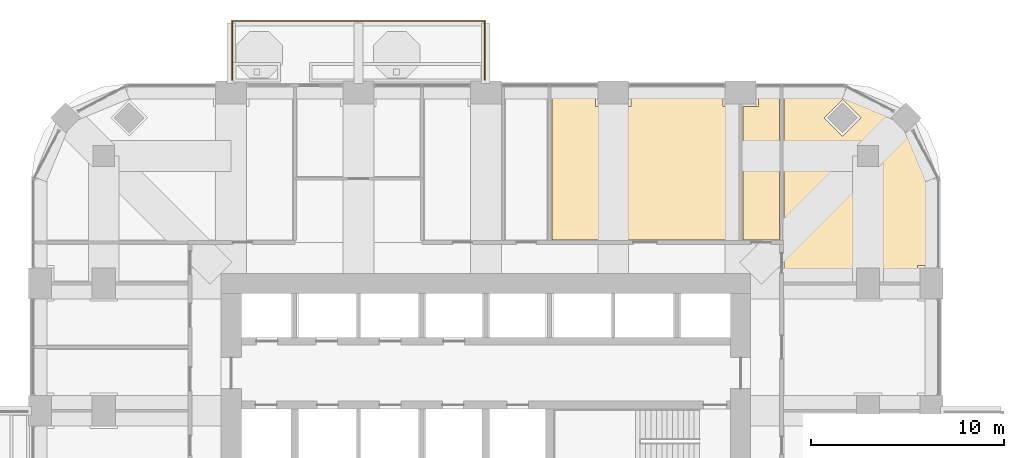
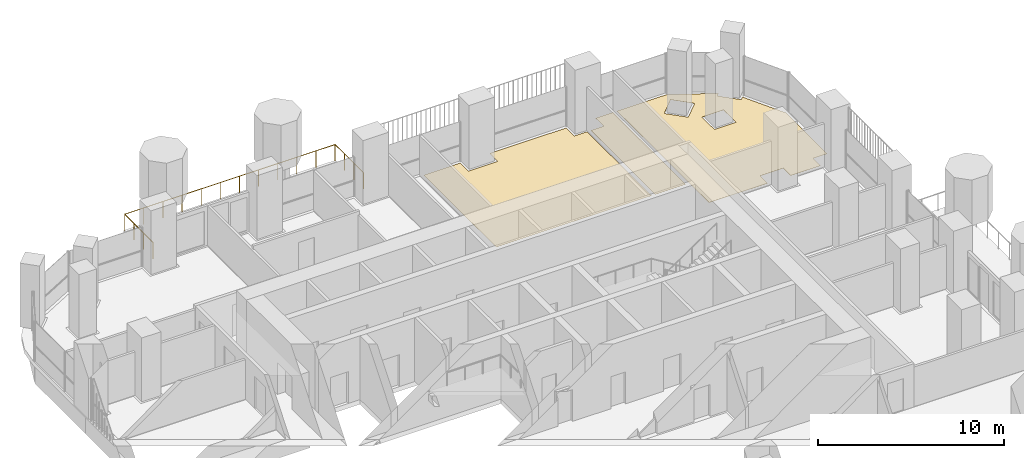
# One storey, part 19 of 20: 3 coverings, 1 railing.
"""IFC4 building model written with IfcOpenShell, lengths in metres."""

from ifc_helpers import new_model, si_unit, direction, frame, origin, place, context, subcontext, project, spatial, polyline, outline, extrude, material, layer, layer_set, type_object, element, save


model = new_model("IFC4")

# Units and contexts
model_context = context("Model", 3, precision=1e-05, world=origin(), true_north=direction((0.0, 1.0)))
body_context = subcontext(model_context, "Body", "Model", "MODEL_VIEW")
ifc_project = project(units=[si_unit("LENGTHUNIT", "METRE"), si_unit("AREAUNIT", "SQUARE_METRE"), si_unit("VOLUMEUNIT", "CUBIC_METRE"), si_unit("PLANEANGLEUNIT", "RADIAN"), si_unit("MASSUNIT", "GRAM", prefix="KILO")], contexts=[model_context])

# Site, building, storey
site_placement = place(None, origin())
site = spatial("IfcSite", under=ifc_project, at=site_placement, CompositionType="ELEMENT")
building_placement = place(site_placement, origin())
building = spatial("IfcBuilding", under=site, at=building_placement, Name="Cobogo Forest Laboratory Tower", CompositionType="ELEMENT")
storey_placement = place(building_placement, frame((0.0, 0.0, 210.300048828125)))
storey = spatial("IfcBuildingStorey", under=building, at=storey_placement, Name="L48", CompositionType="ELEMENT", Elevation=210.300048828125)

# Railing
ifc_material_1 = material(Name="Laminated glass balustrade", Category="glass")
railing_type = type_object("IfcRailingType", Name="BG1 glass balustrade 1100", PredefinedType="GUARDRAIL", material=ifc_material_1)
railing_placement = place(storey_placement, frame((13.25, 43.550048828125, 0.0)))
element("IfcRailing", 1, at=railing_placement, inside=storey, type_object=railing_type, Name="Balcony balustrade BAL-N1 L48", PredefinedType="GUARDRAIL", context=body_context, shape_type="SweptSolid", body=[
    extrude(outline(polyline([(0.022216796875, 0.00927734375), (0.00927734375, 0.022216796875), (-0.00927734375, 0.022216796875), (-0.022216796875, 0.00927734375), (-0.022216796875, -0.00927734375), (-0.00927734375, -0.022216796875), (0.00927734375, -0.022216796875), (0.022216796875, -0.00927734375), (0.022216796875, 0.00927734375)])), frame((0.0, 0.0, 1.077880859375), z_axis=(0.0, 1.0, 0.0), x_axis=(-1.0, 0.0, 0.0)), (0.0, 0.0, 1.0), 3.050048828125),
    extrude(outline(polyline([(0.022216796875, 0.00927734375), (0.00927734375, 0.022216796875), (-0.00927734375, 0.022216796875), (-0.022216796875, 0.00927734375), (-0.022216796875, -0.00927734375), (-0.00927734375, -0.022216796875), (0.00927734375, -0.022216796875), (0.022216796875, -0.00927734375), (0.022216796875, 0.00927734375)])), frame((0.0, 3.050048828125, 1.077880859375), z_axis=(1.0, 0.0, 0.0), x_axis=(0.0, 1.0, 0.0)), (0.0, 0.0, 1.0), 13.10009765625),
    extrude(outline(polyline([(0.022216796875, 0.00927734375), (0.00927734375, 0.022216796875), (-0.00927734375, 0.022216796875), (-0.022216796875, 0.00927734375), (-0.022216796875, -0.00927734375), (-0.00927734375, -0.022216796875), (0.00927734375, -0.022216796875), (0.022216796875, -0.00927734375), (0.022216796875, 0.00927734375)])), frame((13.10009765625, 3.050048828125, 1.077880859375), z_axis=(0.0, -1.0, 0.0), x_axis=(1.0, 0.0, 0.0)), (0.0, 0.0, 1.0), 3.050048828125),
    extrude(outline(polyline([(0.019287109375, 0.008056640625), (0.008056640625, 0.019287109375), (-0.008056640625, 0.019287109375), (-0.019287109375, 0.008056640625), (-0.019287109375, -0.008056640625), (-0.008056640625, -0.019287109375), (0.008056640625, -0.019287109375), (0.019287109375, -0.008056640625), (0.019287109375, 0.008056640625)])), origin(), (0.0, 0.0, 1.0), 1.077880859375),
    extrude(outline(polyline([(0.019287109375, 0.008056640625), (0.008056640625, 0.019287109375), (-0.008056640625, 0.019287109375), (-0.019287109375, 0.008056640625), (-0.019287109375, -0.008056640625), (-0.008056640625, -0.019287109375), (0.008056640625, -0.019287109375), (0.019287109375, -0.008056640625), (0.019287109375, 0.008056640625)])), frame((0.0, 1.0166015625, 0.0)), (0.0, 0.0, 1.0), 1.077880859375),
    extrude(outline(polyline([(0.019287109375, 0.008056640625), (0.008056640625, 0.019287109375), (-0.008056640625, 0.019287109375), (-0.019287109375, 0.008056640625), (-0.019287109375, -0.008056640625), (-0.008056640625, -0.019287109375), (0.008056640625, -0.019287109375), (0.019287109375, -0.008056640625), (0.019287109375, 0.008056640625)])), frame((0.0, 2.033447265625, 0.0)), (0.0, 0.0, 1.0), 1.077880859375),
    extrude(outline(polyline([(0.019287109375, 0.008056640625), (0.008056640625, 0.019287109375), (-0.008056640625, 0.019287109375), (-0.019287109375, 0.008056640625), (-0.019287109375, -0.008056640625), (-0.008056640625, -0.019287109375), (0.008056640625, -0.019287109375), (0.019287109375, -0.008056640625), (0.019287109375, 0.008056640625)])), frame((0.0, 3.050048828125, 0.0)), (0.0, 0.0, 1.0), 1.077880859375),
    extrude(outline(polyline([(0.019287109375, 0.008056640625), (0.008056640625, 0.019287109375), (-0.008056640625, 0.019287109375), (-0.019287109375, 0.008056640625), (-0.019287109375, -0.008056640625), (-0.008056640625, -0.019287109375), (0.008056640625, -0.019287109375), (0.019287109375, -0.008056640625), (0.019287109375, 0.008056640625)])), frame((1.19091796875, 3.050048828125, 0.0)), (0.0, 0.0, 1.0), 1.077880859375),
    extrude(outline(polyline([(0.019287109375, 0.008056640625), (0.008056640625, 0.019287109375), (-0.008056640625, 0.019287109375), (-0.019287109375, 0.008056640625), (-0.019287109375, -0.008056640625), (-0.008056640625, -0.019287109375), (0.008056640625, -0.019287109375), (0.019287109375, -0.008056640625), (0.019287109375, 0.008056640625)])), frame((2.3818359375, 3.050048828125, 0.0)), (0.0, 0.0, 1.0), 1.077880859375),
    extrude(outline(polyline([(0.019287109375, 0.008056640625), (0.008056640625, 0.019287109375), (-0.008056640625, 0.019287109375), (-0.019287109375, 0.008056640625), (-0.019287109375, -0.008056640625), (-0.008056640625, -0.019287109375), (0.008056640625, -0.019287109375), (0.019287109375, -0.008056640625), (0.019287109375, 0.008056640625)])), frame((3.57275390625, 3.050048828125, 0.0)), (0.0, 0.0, 1.0), 1.077880859375),
    extrude(outline(polyline([(0.019287109375, 0.008056640625), (0.008056640625, 0.019287109375), (-0.008056640625, 0.019287109375), (-0.019287109375, 0.008056640625), (-0.019287109375, -0.008056640625), (-0.008056640625, -0.019287109375), (0.008056640625, -0.019287109375), (0.019287109375, -0.008056640625), (0.019287109375, 0.008056640625)])), frame((4.763671875, 3.050048828125, 0.0)), (0.0, 0.0, 1.0), 1.077880859375),
    extrude(outline(polyline([(0.019287109375, 0.008056640625), (0.008056640625, 0.019287109375), (-0.008056640625, 0.019287109375), (-0.019287109375, 0.008056640625), (-0.019287109375, -0.008056640625), (-0.008056640625, -0.019287109375), (0.008056640625, -0.019287109375), (0.019287109375, -0.008056640625), (0.019287109375, 0.008056640625)])), frame((5.95458984375, 3.050048828125, 0.0)), (0.0, 0.0, 1.0), 1.077880859375),
    extrude(outline(polyline([(0.019287109375, 0.008056640625), (0.008056640625, 0.019287109375), (-0.008056640625, 0.019287109375), (-0.019287109375, 0.008056640625), (-0.019287109375, -0.008056640625), (-0.008056640625, -0.019287109375), (0.008056640625, -0.019287109375), (0.019287109375, -0.008056640625), (0.019287109375, 0.008056640625)])), frame((7.1455078125, 3.050048828125, 0.0)), (0.0, 0.0, 1.0), 1.077880859375),
    extrude(outline(polyline([(0.019287109375, 0.008056640625), (0.008056640625, 0.019287109375), (-0.008056640625, 0.019287109375), (-0.019287109375, 0.008056640625), (-0.019287109375, -0.008056640625), (-0.008056640625, -0.019287109375), (0.008056640625, -0.019287109375), (0.019287109375, -0.008056640625), (0.019287109375, 0.008056640625)])), frame((8.33642578125, 3.050048828125, 0.0)), (0.0, 0.0, 1.0), 1.077880859375),
    extrude(outline(polyline([(0.019287109375, 0.008056640625), (0.008056640625, 0.019287109375), (-0.008056640625, 0.019287109375), (-0.019287109375, 0.008056640625), (-0.019287109375, -0.008056640625), (-0.008056640625, -0.019287109375), (0.008056640625, -0.019287109375), (0.019287109375, -0.008056640625), (0.019287109375, 0.008056640625)])), frame((9.52734375, 3.050048828125, 0.0)), (0.0, 0.0, 1.0), 1.077880859375),
    extrude(outline(polyline([(0.019287109375, 0.008056640625), (0.008056640625, 0.019287109375), (-0.008056640625, 0.019287109375), (-0.019287109375, 0.008056640625), (-0.019287109375, -0.008056640625), (-0.008056640625, -0.019287109375), (0.008056640625, -0.019287109375), (0.019287109375, -0.008056640625), (0.019287109375, 0.008056640625)])), frame((10.71826171875, 3.050048828125, 0.0)), (0.0, 0.0, 1.0), 1.077880859375),
    extrude(outline(polyline([(0.019287109375, 0.008056640625), (0.008056640625, 0.019287109375), (-0.008056640625, 0.019287109375), (-0.019287109375, 0.008056640625), (-0.019287109375, -0.008056640625), (-0.008056640625, -0.019287109375), (0.008056640625, -0.019287109375), (0.019287109375, -0.008056640625), (0.019287109375, 0.008056640625)])), frame((11.9091796875, 3.050048828125, 0.0)), (0.0, 0.0, 1.0), 1.077880859375),
    extrude(outline(polyline([(0.019287109375, 0.008056640625), (0.008056640625, 0.019287109375), (-0.008056640625, 0.019287109375), (-0.019287109375, 0.008056640625), (-0.019287109375, -0.008056640625), (-0.008056640625, -0.019287109375), (0.008056640625, -0.019287109375), (0.019287109375, -0.008056640625), (0.019287109375, 0.008056640625)])), frame((13.10009765625, 3.050048828125, 0.0)), (0.0, 0.0, 1.0), 1.077880859375),
    extrude(outline(polyline([(0.019287109375, 0.008056640625), (0.008056640625, 0.019287109375), (-0.008056640625, 0.019287109375), (-0.019287109375, 0.008056640625), (-0.019287109375, -0.008056640625), (-0.008056640625, -0.019287109375), (0.008056640625, -0.019287109375), (0.019287109375, -0.008056640625), (0.019287109375, 0.008056640625)])), frame((13.10009765625, 2.033447265625, 0.0)), (0.0, 0.0, 1.0), 1.077880859375),
    extrude(outline(polyline([(0.019287109375, 0.008056640625), (0.008056640625, 0.019287109375), (-0.008056640625, 0.019287109375), (-0.019287109375, 0.008056640625), (-0.019287109375, -0.008056640625), (-0.008056640625, -0.019287109375), (0.008056640625, -0.019287109375), (0.019287109375, -0.008056640625), (0.019287109375, 0.008056640625)])), frame((13.10009765625, 1.0166015625, 0.0)), (0.0, 0.0, 1.0), 1.077880859375),
    extrude(outline(polyline([(0.019287109375, 0.008056640625), (0.008056640625, 0.019287109375), (-0.008056640625, 0.019287109375), (-0.019287109375, 0.008056640625), (-0.019287109375, -0.008056640625), (-0.008056640625, -0.019287109375), (0.008056640625, -0.019287109375), (0.019287109375, -0.008056640625), (0.019287109375, 0.008056640625)])), frame((13.10009765625, 0.0, 0.0)), (0.0, 0.0, 1.0), 1.077880859375),
])

# Coverings
ifc_material_2 = material(Name="Carpet tile on raised access floor", Category="flooring")
ifc_layer_1 = layer(ifc_material_2, 0.008056640625)
ifc_layer_set_1 = layer_set([ifc_layer_1], Name="CT1 carpet tile floor 8")
covering_type_1 = type_object("IfcCoveringType", Name="CT1 carpet tile floor 8", PredefinedType="FLOORING", material=ifc_layer_set_1)
covering_1_placement = place(storey_placement, origin())
element("IfcCovering", 2, at=covering_1_placement, inside=storey, type_object=covering_type_1, Name="Carpet floor L48-10", PredefinedType="FLOORING", context=body_context, shape_type="SweptSolid", body=[
    extrude(outline(polyline([(41.844970703125, 43.050048828125), (44.95068359375, 43.050048828125), (47.412109375, 41.759765625), (47.234375, 41.58203125), (48.181884765625, 40.634521484375), (48.359619140625, 40.812255859375), (49.64990234375, 38.350830078125), (49.64990234375, 33.919921875), (48.780029296875, 33.919921875), (48.780029296875, 33.1201171875), (46.919921875, 33.1201171875), (46.919921875, 33.919921875), (45.47998046875, 33.919921875), (45.47998046875, 33.1201171875), (41.844970703125, 33.1201171875), (41.844970703125, 43.050048828125)]), holes=[polyline([(45.530029296875, 40.27001953125), (45.530029296875, 38.929931640625), (46.8701171875, 38.929931640625), (46.8701171875, 40.27001953125), (45.530029296875, 40.27001953125)]), polyline([(44.882080078125, 40.634521484375), (45.82958984375, 41.58203125), (44.882080078125, 42.529541015625), (43.9345703125, 41.58203125), (44.882080078125, 40.634521484375)])]), origin(), (0.0, 0.0, 1.0), 0.008056640625),
])
covering_2_placement = place(storey_placement, origin())
element("IfcCovering", 3, at=covering_2_placement, inside=storey, type_object=covering_type_1, Name="Carpet floor L48-16", PredefinedType="FLOORING", context=body_context, shape_type="SweptSolid", body=[
    extrude(outline(polyline([(39.719970703125, 35.2451171875), (39.719970703125, 42.179931640625), (40.52001953125, 42.179931640625), (40.52001953125, 43.050048828125), (41.60498046875, 43.050048828125), (41.60498046875, 35.2451171875), (39.719970703125, 35.2451171875)])), origin(), (0.0, 0.0, 1.0), 0.008056640625),
])
ifc_material_3 = material(Name="Static-dissipative vinyl flooring", Category="flooring")
ifc_layer_2 = layer(ifc_material_3, 0.0029296875)
ifc_layer_set_2 = layer_set([ifc_layer_2], Name="SD1 static-dissipative vinyl floor 3")
covering_type_2 = type_object("IfcCoveringType", Name="SD1 static-dissipative vinyl floor 3", PredefinedType="FLOORING", material=ifc_layer_set_2)
covering_3_placement = place(storey_placement, origin())
element("IfcCovering", 4, at=covering_3_placement, inside=storey, type_object=covering_type_2, Name="Static-dissipative floor L48-15", PredefinedType="FLOORING", context=body_context, shape_type="SweptSolid", body=[
    extrude(outline(polyline([(29.820068359375, 35.2451171875), (29.820068359375, 43.050048828125), (32.080078125, 43.050048828125), (32.080078125, 42.179931640625), (33.919921875, 42.179931640625), (33.919921875, 43.050048828125), (38.679931640625, 43.050048828125), (38.679931640625, 42.179931640625), (39.47998046875, 42.179931640625), (39.47998046875, 35.2451171875), (29.820068359375, 35.2451171875)])), origin(), (0.0, 0.0, 1.0), 0.0029296875),
])

save(model, "model.ifc")
